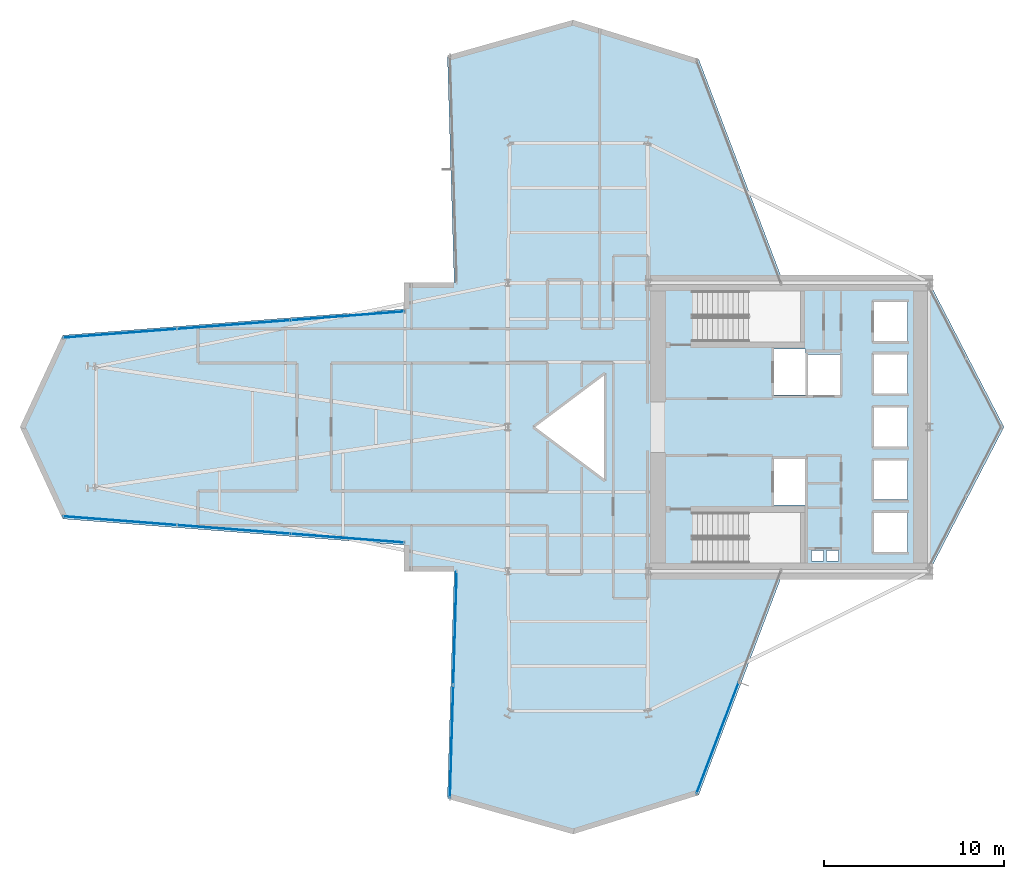
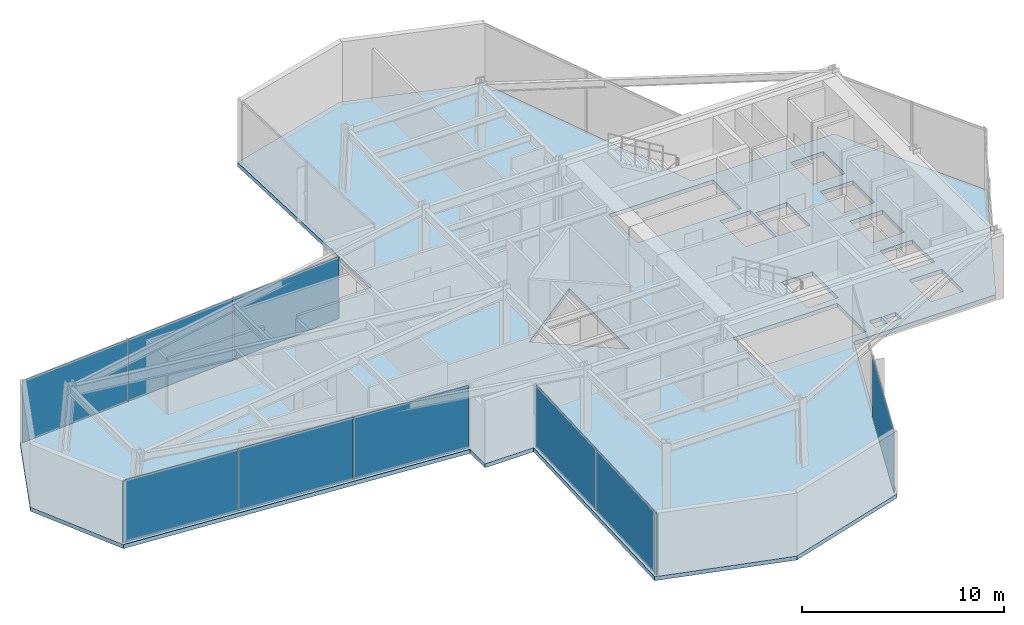
# One storey, part 23 of 28: 9 plates, 1 slab, 4 elements without a shape of their own.
"""IFC4 building model written with IfcOpenShell, lengths in metres."""

from ifc_helpers import new_model, si_unit, direction, frame, origin, origin_2d, place, context, subcontext, project, spatial, polyline, rectangle, outline, extrude, material, layer, layer_set, type_object, element, aggregate, save


model = new_model("IFC4")

# Units and contexts
model_context = context("Model", 3, precision=1e-05, world=origin(), true_north=direction((0.0, 1.0)))
body_context = subcontext(model_context, "Body", "Model", "MODEL_VIEW")
ifc_project = project(units=[si_unit("LENGTHUNIT", "METRE"), si_unit("AREAUNIT", "SQUARE_METRE"), si_unit("VOLUMEUNIT", "CUBIC_METRE"), si_unit("PLANEANGLEUNIT", "RADIAN"), si_unit("MASSUNIT", "GRAM", prefix="KILO")], contexts=[model_context])

# Site, building, storey
site_placement = place(None, origin())
site = spatial("IfcSite", under=ifc_project, at=site_placement, CompositionType="ELEMENT")
building_placement = place(site_placement, origin())
building = spatial("IfcBuilding", under=site, at=building_placement, Name="Veymaron Broadcast Tower", CompositionType="ELEMENT")
storey_placement = place(building_placement, frame((0.0, 0.0, 45.89990234375)))
storey = spatial("IfcBuildingStorey", under=building, at=storey_placement, Name="L09", CompositionType="ELEMENT", Elevation=45.89990234375)

# Curtain wall, plates
ifc_material_1 = material(Name="Anodised aluminium AA 6063-T6 and laminated low-E dark glass", Category="aluminium")
ifc_layer_1 = layer(ifc_material_1, 0.179931640625)
ifc_layer_set_1 = layer_set([ifc_layer_1], Name="Anodised aluminium AA 6063-T6 and laminated low-E dark glass")
curtain_wall_type = type_object("IfcCurtainWallType", Name="CW-SYS-02", PredefinedType="NOTDEFINED", material=ifc_layer_set_1)
curtain_wall_1_placement = place(storey_placement, origin())
curtain_wall_1 = element("IfcCurtainWall", 1, at=curtain_wall_1_placement, inside=storey, type_object=curtain_wall_type, Name="L09 dark-glass curtain wall CW-L09-E11-1", PredefinedType="NOTDEFINED")
ifc_material_2 = material(Name="Double-silver solar-control dark glass IGU 32 mm", Category="glass")
ifc_layer_2 = layer(ifc_material_2, 0.031982421875)
ifc_layer_set_2 = layer_set([ifc_layer_2], Name="Double-silver solar-control dark glass IGU 32 mm")
plate_type = type_object("IfcPlateType", Name="CW-PNL-02", PredefinedType="CURTAIN_PANEL", material=ifc_layer_set_2)
plate_1_placement = place(storey_placement, frame((22.30078125, 30.169677734375, 0.0400390625), z_axis=(0.0, 0.0, 1.0), x_axis=(-0.997062117783, -0.076597214581, 0.0)))
plate_1 = element("IfcPlate", 2, at=plate_1_placement, type_object=plate_type, Name="CW-L09-E11-1 unitised curtain panel 0", PredefinedType="CURTAIN_PANEL", context=body_context, shape_type="SweptSolid", body=[
    extrude(rectangle(XDim=6.274658203125, YDim=0.031982421875, at=origin_2d()), origin(), (0.0, 0.0, 1.0), 3.72998046875),
])
plate_2_placement = place(storey_placement, frame((15.984619140625, 29.684326171875, 0.0400390625), z_axis=(0.0, 0.0, 1.0), x_axis=(-0.997062117783, -0.076597214581, 0.0)))
plate_2 = element("IfcPlate", 3, at=plate_2_placement, type_object=plate_type, Name="CW-L09-E11-1 unitised curtain panel 1", PredefinedType="CURTAIN_PANEL", context=body_context, shape_type="SweptSolid", body=[
    extrude(rectangle(XDim=6.274658203125, YDim=0.031982421875, at=origin_2d()), origin(), (0.0, 0.0, 1.0), 3.72998046875),
])
plate_3_placement = place(storey_placement, frame((9.668701171875, 29.19921875, 0.0400390625), z_axis=(0.0, 0.0, 1.0), x_axis=(-0.997062117783, -0.076597214581, 0.0)))
plate_3 = element("IfcPlate", 4, at=plate_3_placement, type_object=plate_type, Name="CW-L09-E11-1 unitised curtain panel 2", PredefinedType="CURTAIN_PANEL", context=body_context, shape_type="SweptSolid", body=[
    extrude(rectangle(XDim=6.274658203125, YDim=0.031982421875, at=origin_2d()), origin(), (0.0, 0.0, 1.0), 3.72998046875),
])
aggregate(curtain_wall_1, [plate_1, plate_2, plate_3])

curtain_wall_2_placement = place(storey_placement, origin())
curtain_wall_2 = element("IfcCurtainWall", 5, at=curtain_wall_2_placement, inside=storey, type_object=curtain_wall_type, Name="L09 dark-glass curtain wall CW-L09-E14-1", PredefinedType="NOTDEFINED")
plate_4_placement = place(storey_placement, frame((9.668701171875, 18.80078125, 0.0400390625), z_axis=(0.0, 0.0, 1.0), x_axis=(0.997062117783, -0.076597214581, 0.0)))
plate_4 = element("IfcPlate", 6, at=plate_4_placement, type_object=plate_type, Name="CW-L09-E14-1 unitised curtain panel 0", PredefinedType="CURTAIN_PANEL", context=body_context, shape_type="SweptSolid", body=[
    extrude(rectangle(XDim=6.274658203125, YDim=0.031982421875, at=origin_2d()), origin(), (0.0, 0.0, 1.0), 3.72998046875),
])
plate_5_placement = place(storey_placement, frame((15.984619140625, 18.315673828125, 0.0400390625), z_axis=(0.0, 0.0, 1.0), x_axis=(0.997062117783, -0.076597214581, 0.0)))
plate_5 = element("IfcPlate", 7, at=plate_5_placement, type_object=plate_type, Name="CW-L09-E14-1 unitised curtain panel 1", PredefinedType="CURTAIN_PANEL", context=body_context, shape_type="SweptSolid", body=[
    extrude(rectangle(XDim=6.274658203125, YDim=0.031982421875, at=origin_2d()), origin(), (0.0, 0.0, 1.0), 3.72998046875),
])
plate_6_placement = place(storey_placement, frame((22.30078125, 17.830322265625, 0.0400390625), z_axis=(0.0, 0.0, 1.0), x_axis=(0.997062117783, -0.076597214581, 0.0)))
plate_6 = element("IfcPlate", 8, at=plate_6_placement, type_object=plate_type, Name="CW-L09-E14-1 unitised curtain panel 2", PredefinedType="CURTAIN_PANEL", context=body_context, shape_type="SweptSolid", body=[
    extrude(rectangle(XDim=6.274658203125, YDim=0.031982421875, at=origin_2d()), origin(), (0.0, 0.0, 1.0), 3.72998046875),
])
aggregate(curtain_wall_2, [plate_4, plate_5, plate_6])

curtain_wall_3_placement = place(storey_placement, origin())
curtain_wall_3 = element("IfcCurtainWall", 9, at=curtain_wall_3_placement, inside=storey, type_object=curtain_wall_type, Name="L09 dark-glass curtain wall CW-L09-E17-1", PredefinedType="NOTDEFINED")
plate_7_placement = place(storey_placement, frame((28.269775390625, 12.843017578125, 0.0400390625), z_axis=(0.0, 0.0, 1.0), x_axis=(-0.029858145254, -0.999554146188, 0.0)))
plate_7 = element("IfcPlate", 10, at=plate_7_placement, type_object=plate_type, Name="CW-L09-E17-1 unitised curtain panel 0", PredefinedType="CURTAIN_PANEL", context=body_context, shape_type="SweptSolid", body=[
    extrude(rectangle(XDim=6.248291015625, YDim=0.031982421875, at=origin_2d()), origin(), (0.0, 0.0, 1.0), 3.72998046875),
])
plate_8_placement = place(storey_placement, frame((28.081298828125, 6.53759765625, 0.0400390625), z_axis=(0.0, 0.0, 1.0), x_axis=(-0.029858145254, -0.999554146188, 0.0)))
plate_8 = element("IfcPlate", 11, at=plate_8_placement, type_object=plate_type, Name="CW-L09-E17-1 unitised curtain panel 1", PredefinedType="CURTAIN_PANEL", context=body_context, shape_type="SweptSolid", body=[
    extrude(rectangle(XDim=6.248291015625, YDim=0.031982421875, at=origin_2d()), origin(), (0.0, 0.0, 1.0), 3.72998046875),
])
aggregate(curtain_wall_3, [plate_7, plate_8])

# Curtain wall, plate
curtain_wall_4_placement = place(storey_placement, origin())
curtain_wall_4 = element("IfcCurtainWall", 12, at=curtain_wall_4_placement, inside=storey, type_object=curtain_wall_type, Name="L09 dark-glass curtain wall CW-L09-E20-1", PredefinedType="NOTDEFINED")
plate_9_placement = place(storey_placement, frame((42.83935546875, 6.739013671875, 0.0400390625), z_axis=(0.0, 0.0, 1.0), x_axis=(0.354225752381, 0.935159941588, 0.0)))
plate_9 = element("IfcPlate", 13, at=plate_9_placement, type_object=plate_type, Name="CW-L09-E20-1 unitised curtain panel 0", PredefinedType="CURTAIN_PANEL", context=body_context, shape_type="SweptSolid", body=[
    extrude(rectangle(XDim=6.577392578125, YDim=0.031982421875, at=origin_2d()), origin(), (0.0, 0.0, 1.0), 3.72998046875),
])
aggregate(curtain_wall_4, [plate_9])

# Slab
ifc_material_3 = material(Name="Concrete C40/50", Category="concrete")
ifc_layer_3 = layer(ifc_material_3, 0.239990234375)
ifc_layer_set_3 = layer_set([ifc_layer_3], Name="Concrete C40/50")
slab_type = type_object("IfcSlabType", Name="SLAB-FS6", PredefinedType="FLOOR", material=ifc_layer_set_3)
slab_placement = place(storey_placement, frame((0.0, 0.0, -0.239990234375)))
element("IfcSlab", 14, at=slab_placement, inside=storey, type_object=slab_type, Name="L09 structural floor slab", PredefinedType="FLOOR", context=body_context, shape_type="SweptSolid", body=[
    extrude(outline(polyline([(46.4970703125, 16.0), (54.60009765625, 16.0), (58.737060546875, 24.0), (54.60009765625, 32.0), (46.4970703125, 32.0), (41.794677734375, 44.4140625), (34.821044921875, 46.5810546875), (27.847412109375, 44.611083984375), (28.22412109375, 32.0), (25.447998046875, 32.0), (25.447998046875, 30.5517578125), (6.5, 29.09619140625), (4.135986328125, 24.0), (6.5, 18.90380859375), (25.447998046875, 17.4482421875), (25.447998046875, 16.0), (28.22412109375, 16.0), (27.847412109375, 3.388916015625), (34.821044921875, 1.4189453125), (41.794677734375, 3.5859375), (46.4970703125, 16.0)]), holes=[polyline([(45.969970703125, 28.330078125), (47.72998046875, 28.330078125), (47.72998046875, 25.77001953125), (45.969970703125, 25.77001953125), (45.969970703125, 28.330078125)]), polyline([(45.969970703125, 22.22998046875), (47.72998046875, 22.22998046875), (47.72998046875, 19.669921875), (45.969970703125, 19.669921875), (45.969970703125, 22.22998046875)]), polyline([(47.8701171875, 28.030029296875), (49.6298828125, 28.030029296875), (49.6298828125, 25.77001953125), (47.8701171875, 25.77001953125), (47.8701171875, 28.030029296875)]), polyline([(51.52001953125, 30.929931640625), (53.3798828125, 30.929931640625), (53.3798828125, 28.77001953125), (51.52001953125, 28.77001953125), (51.52001953125, 30.929931640625)]), polyline([(51.52001953125, 28.030029296875), (53.3798828125, 28.030029296875), (53.3798828125, 25.8701171875), (51.52001953125, 25.8701171875), (51.52001953125, 28.030029296875)]), polyline([(51.52001953125, 22.1298828125), (53.3798828125, 22.1298828125), (53.3798828125, 19.969970703125), (51.52001953125, 19.969970703125), (51.52001953125, 22.1298828125)]), polyline([(51.52001953125, 25.080078125), (53.3798828125, 25.080078125), (53.3798828125, 22.919921875), (51.52001953125, 22.919921875), (51.52001953125, 25.080078125)]), polyline([(51.52001953125, 19.22998046875), (53.3798828125, 19.22998046875), (53.3798828125, 17.070068359375), (51.52001953125, 17.070068359375), (51.52001953125, 19.22998046875)]), polyline([(48.050048828125, 17.159912109375), (48.719970703125, 17.159912109375), (48.719970703125, 16.56005859375), (48.050048828125, 16.56005859375), (48.050048828125, 17.159912109375)]), polyline([(48.8798828125, 17.159912109375), (49.550048828125, 17.159912109375), (49.550048828125, 16.56005859375), (48.8798828125, 16.56005859375), (48.8798828125, 17.159912109375)]), polyline([(36.60009765625, 27.0), (36.60009765625, 21.0), (32.60009765625, 24.0), (36.60009765625, 27.0)]), polyline([(41.489990234375, 31.550048828125), (47.43994140625, 31.550048828125), (47.43994140625, 28.72998046875), (41.489990234375, 28.72998046875), (41.489990234375, 31.550048828125)]), polyline([(41.489990234375, 19.27001953125), (47.43994140625, 19.27001953125), (47.43994140625, 16.449951171875), (41.489990234375, 16.449951171875), (41.489990234375, 19.27001953125)])]), origin(), (0.0, 0.0, 1.0), 0.239990234375),
])

save(model, "model.ifc")
